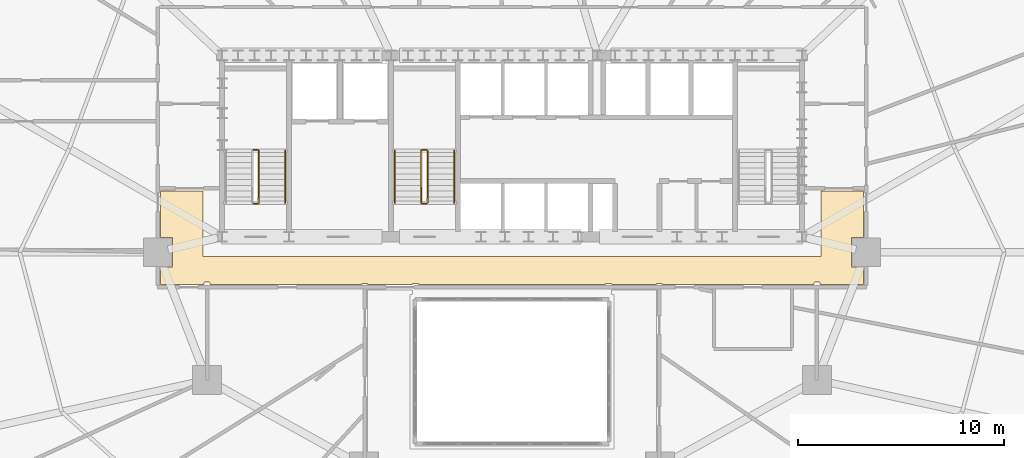
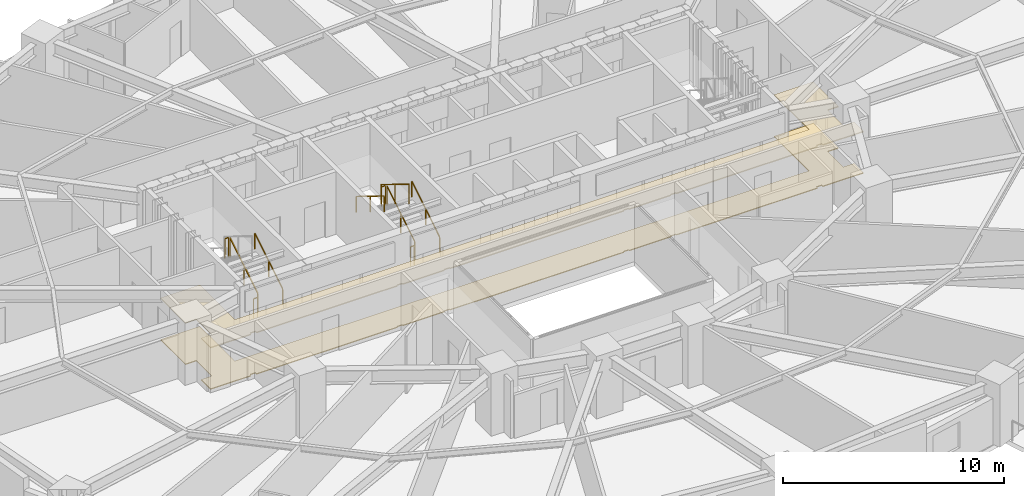
# One storey, part 14 of 16: 10 railings, 2 coverings.
"""IFC4 building model written with IfcOpenShell, lengths in metres."""

from ifc_helpers import new_model, si_unit, direction, frame, origin, origin_2d, place, context, subcontext, project, spatial, polyline, rectangle, outline, extrude, material, layer, layer_set, type_object, element, save


model = new_model("IFC4")

# Units and contexts
model_context = context("Model", 3, precision=1e-05, world=origin(), true_north=direction((0.0, 1.0)))
body_context = subcontext(model_context, "Body", "Model", "MODEL_VIEW")
ifc_project = project(units=[si_unit("LENGTHUNIT", "METRE"), si_unit("AREAUNIT", "SQUARE_METRE"), si_unit("VOLUMEUNIT", "CUBIC_METRE"), si_unit("PLANEANGLEUNIT", "RADIAN"), si_unit("MASSUNIT", "GRAM", prefix="KILO")], contexts=[model_context])

# Site, building, storey
site_placement = place(None, origin())
site = spatial("IfcSite", under=ifc_project, at=site_placement, CompositionType="ELEMENT")
building_placement = place(site_placement, origin())
building = spatial("IfcBuilding", under=site, at=building_placement, Name="Haldorwick Loom Tower", CompositionType="ELEMENT")
storey_placement = place(building_placement, frame((0.0, 0.0, 68.85009765625)))
storey = spatial("IfcBuildingStorey", under=building, at=storey_placement, Name="L18", CompositionType="ELEMENT", Elevation=68.85009765625)

# Coverings
ifc_material_1 = material(Name="Mineral Fibre Acoustic Ceiling Tile")
ifc_layer_1 = layer(ifc_material_1, 0.054931640625, Name="Mineral Fibre Acoustic Ceiling Tile")
ifc_layer_set_1 = layer_set([ifc_layer_1], Name="Mineral Fibre Acoustic Ceiling Tile")
covering_type_1 = type_object("IfcCoveringType", Name="ARC-COV-CEIL2", PredefinedType="CEILING", material=ifc_layer_set_1)
covering_1_placement = place(storey_placement, frame((0.0, 0.0, 2.281982421875)))
element("IfcCovering", 1, at=covering_1_placement, inside=storey, type_object=covering_type_1, Name="L18 Acoustic Suspended Ceiling 2", PredefinedType="CEILING", context=body_context, shape_type="SweptSolid", body=[
    extrude(outline(polyline([(51.0, 28.9599609375), (51.0, 25.800048828125), (21.0, 25.800048828125), (21.0, 28.9599609375), (18.93994140625, 28.9599609375), (18.93994140625, 26.7080078125), (19.508056640625, 26.7080078125), (19.508056640625, 25.2919921875), (18.93994140625, 25.2919921875), (18.93994140625, 24.43994140625), (21.06005859375, 24.43994140625), (21.06005859375, 24.52001953125), (21.06005859375, 24.52197265625), (21.060302734375, 24.52392578125), (21.060791015625, 24.52587890625), (21.0615234375, 24.527587890625), (21.0625, 24.529296875), (21.0634765625, 24.531005859375), (21.064453125, 24.53271484375), (21.06591796875, 24.5341796875), (21.0673828125, 24.535400390625), (21.06884765625, 24.53662109375), (21.070556640625, 24.53759765625), (21.072265625, 24.53857421875), (21.07421875, 24.5390625), (21.076171875, 24.53955078125), (21.077880859375, 24.539794921875), (21.080078125, 24.5400390625), (21.320068359375, 24.5400390625), (21.322021484375, 24.539794921875), (21.323974609375, 24.53955078125), (21.32568359375, 24.5390625), (21.32763671875, 24.53857421875), (21.329345703125, 24.53759765625), (21.3310546875, 24.53662109375), (21.332763671875, 24.535400390625), (21.333984375, 24.5341796875), (21.33544921875, 24.53271484375), (21.336669921875, 24.531005859375), (21.337646484375, 24.529296875), (21.33837890625, 24.527587890625), (21.339111328125, 24.52587890625), (21.339599609375, 24.52392578125), (21.33984375, 24.52197265625), (21.340087890625, 24.52001953125), (21.340087890625, 24.43994140625), (28.7099609375, 24.43994140625), (28.7099609375, 24.469970703125), (28.710205078125, 24.471923828125), (28.71044921875, 24.473876953125), (28.7109375, 24.475830078125), (28.71142578125, 24.477783203125), (28.71240234375, 24.4794921875), (28.71337890625, 24.481201171875), (28.714599609375, 24.482666015625), (28.7158203125, 24.484130859375), (28.71728515625, 24.485595703125), (28.718994140625, 24.486572265625), (28.720703125, 24.487548828125), (28.722412109375, 24.488525390625), (28.72412109375, 24.489013671875), (28.72607421875, 24.489501953125), (28.72802734375, 24.489990234375), (28.72998046875, 24.489990234375), (28.969970703125, 24.489990234375), (28.971923828125, 24.489990234375), (28.973876953125, 24.489501953125), (28.975830078125, 24.489013671875), (28.977783203125, 24.488525390625), (28.9794921875, 24.487548828125), (28.981201171875, 24.486572265625), (28.982666015625, 24.485595703125), (28.984130859375, 24.484130859375), (28.985595703125, 24.482666015625), (28.986572265625, 24.481201171875), (28.987548828125, 24.4794921875), (28.988525390625, 24.477783203125), (28.989013671875, 24.475830078125), (28.989501953125, 24.473876953125), (28.989990234375, 24.471923828125), (28.989990234375, 24.469970703125), (28.989990234375, 24.43994140625), (31.179931640625, 24.43994140625), (31.179931640625, 24.469970703125), (31.18017578125, 24.471923828125), (31.180419921875, 24.473876953125), (31.180908203125, 24.475830078125), (31.181396484375, 24.477783203125), (31.182373046875, 24.4794921875), (31.183349609375, 24.481201171875), (31.1845703125, 24.482666015625), (31.185791015625, 24.484130859375), (31.187255859375, 24.485595703125), (31.18896484375, 24.486572265625), (31.190673828125, 24.487548828125), (31.1923828125, 24.488525390625), (31.194091796875, 24.489013671875), (31.196044921875, 24.489501953125), (31.197998046875, 24.489990234375), (31.199951171875, 24.489990234375), (31.43994140625, 24.489990234375), (31.44189453125, 24.489990234375), (31.44384765625, 24.489501953125), (31.44580078125, 24.489013671875), (31.44775390625, 24.488525390625), (31.449462890625, 24.487548828125), (31.451171875, 24.486572265625), (31.45263671875, 24.485595703125), (31.4541015625, 24.484130859375), (31.45556640625, 24.482666015625), (31.45654296875, 24.481201171875), (31.45751953125, 24.4794921875), (31.45849609375, 24.477783203125), (31.458984375, 24.475830078125), (31.459716796875, 24.473876953125), (31.4599609375, 24.471923828125), (31.4599609375, 24.469970703125), (31.4599609375, 24.43994140625), (40.5400390625, 24.43994140625), (40.5400390625, 24.469970703125), (40.5400390625, 24.471923828125), (40.540283203125, 24.473876953125), (40.541015625, 24.475830078125), (40.54150390625, 24.477783203125), (40.54248046875, 24.4794921875), (40.54345703125, 24.481201171875), (40.54443359375, 24.482666015625), (40.5458984375, 24.484130859375), (40.54736328125, 24.485595703125), (40.548828125, 24.486572265625), (40.550537109375, 24.487548828125), (40.55224609375, 24.488525390625), (40.55419921875, 24.489013671875), (40.55615234375, 24.489501953125), (40.55810546875, 24.489990234375), (40.56005859375, 24.489990234375), (40.800048828125, 24.489990234375), (40.802001953125, 24.489990234375), (40.803955078125, 24.489501953125), (40.805908203125, 24.489013671875), (40.8076171875, 24.488525390625), (40.809326171875, 24.487548828125), (40.81103515625, 24.486572265625), (40.812744140625, 24.485595703125), (40.814208984375, 24.484130859375), (40.8154296875, 24.482666015625), (40.816650390625, 24.481201171875), (40.817626953125, 24.4794921875), (40.818603515625, 24.477783203125), (40.819091796875, 24.475830078125), (40.819580078125, 24.473876953125), (40.81982421875, 24.471923828125), (40.820068359375, 24.469970703125), (40.820068359375, 24.43994140625), (43.010009765625, 24.43994140625), (43.010009765625, 24.469970703125), (43.010009765625, 24.471923828125), (43.010498046875, 24.473876953125), (43.010986328125, 24.475830078125), (43.011474609375, 24.477783203125), (43.012451171875, 24.4794921875), (43.013427734375, 24.481201171875), (43.014404296875, 24.482666015625), (43.015869140625, 24.484130859375), (43.017333984375, 24.485595703125), (43.018798828125, 24.486572265625), (43.0205078125, 24.487548828125), (43.022216796875, 24.488525390625), (43.024169921875, 24.489013671875), (43.026123046875, 24.489501953125), (43.028076171875, 24.489990234375), (43.030029296875, 24.489990234375), (43.27001953125, 24.489990234375), (43.27197265625, 24.489990234375), (43.27392578125, 24.489501953125), (43.27587890625, 24.489013671875), (43.277587890625, 24.488525390625), (43.279296875, 24.487548828125), (43.281005859375, 24.486572265625), (43.28271484375, 24.485595703125), (43.2841796875, 24.484130859375), (43.285400390625, 24.482666015625), (43.28662109375, 24.481201171875), (43.28759765625, 24.4794921875), (43.28857421875, 24.477783203125), (43.2890625, 24.475830078125), (43.28955078125, 24.473876953125), (43.289794921875, 24.471923828125), (43.2900390625, 24.469970703125), (43.2900390625, 24.43994140625), (50.659912109375, 24.43994140625), (50.659912109375, 24.52001953125), (50.66015625, 24.52197265625), (50.660400390625, 24.52392578125), (50.660888671875, 24.52587890625), (50.66162109375, 24.527587890625), (50.662353515625, 24.529296875), (50.663330078125, 24.531005859375), (50.66455078125, 24.53271484375), (50.666015625, 24.5341796875), (50.667236328125, 24.535400390625), (50.6689453125, 24.53662109375), (50.670654296875, 24.53759765625), (50.67236328125, 24.53857421875), (50.67431640625, 24.5390625), (50.676025390625, 24.53955078125), (50.677978515625, 24.539794921875), (50.679931640625, 24.5400390625), (50.919921875, 24.5400390625), (50.922119140625, 24.539794921875), (50.923828125, 24.53955078125), (50.92578125, 24.5390625), (50.927734375, 24.53857421875), (50.929443359375, 24.53759765625), (50.93115234375, 24.53662109375), (50.9326171875, 24.535400390625), (50.93408203125, 24.5341796875), (50.935546875, 24.53271484375), (50.9365234375, 24.531005859375), (50.9375, 24.529296875), (50.9384765625, 24.527587890625), (50.939208984375, 24.52587890625), (50.939697265625, 24.52392578125), (50.93994140625, 24.52197265625), (50.93994140625, 24.52001953125), (50.93994140625, 24.43994140625), (53.06005859375, 24.43994140625), (53.06005859375, 25.2919921875), (52.491943359375, 25.2919921875), (52.491943359375, 26.7080078125), (53.06005859375, 26.7080078125), (53.06005859375, 28.9599609375), (51.0, 28.9599609375)])), origin(), (0.0, 0.0, 1.0), 0.054931640625),
])
ifc_material_2 = material(Name="Polished Aggregate Terrazzo Finish")
ifc_layer_2 = layer(ifc_material_2, 0.044921875, Name="Polished Aggregate Terrazzo Finish")
ifc_layer_set_2 = layer_set([ifc_layer_2], Name="Polished Aggregate Terrazzo Finish")
covering_type_2 = type_object("IfcCoveringType", Name="ARC-COV-FLOOR2", PredefinedType="FLOORING", material=ifc_layer_set_2)
covering_2_placement = place(storey_placement, origin())
element("IfcCovering", 2, at=covering_2_placement, inside=storey, type_object=covering_type_2, Name="L18 Floor Finish 2", PredefinedType="FLOORING", context=body_context, shape_type="SweptSolid", body=[
    extrude(outline(polyline([(51.0, 28.9599609375), (51.0, 25.800048828125), (21.0, 25.800048828125), (21.0, 28.9599609375), (18.93994140625, 28.9599609375), (18.93994140625, 26.7080078125), (19.508056640625, 26.7080078125), (19.508056640625, 25.2919921875), (18.93994140625, 25.2919921875), (18.93994140625, 24.43994140625), (21.06005859375, 24.43994140625), (21.06005859375, 24.52001953125), (21.06005859375, 24.52197265625), (21.060302734375, 24.52392578125), (21.060791015625, 24.52587890625), (21.0615234375, 24.527587890625), (21.0625, 24.529296875), (21.0634765625, 24.531005859375), (21.064453125, 24.53271484375), (21.06591796875, 24.5341796875), (21.0673828125, 24.535400390625), (21.06884765625, 24.53662109375), (21.070556640625, 24.53759765625), (21.072265625, 24.53857421875), (21.07421875, 24.5390625), (21.076171875, 24.53955078125), (21.077880859375, 24.539794921875), (21.080078125, 24.5400390625), (21.320068359375, 24.5400390625), (21.322021484375, 24.539794921875), (21.323974609375, 24.53955078125), (21.32568359375, 24.5390625), (21.32763671875, 24.53857421875), (21.329345703125, 24.53759765625), (21.3310546875, 24.53662109375), (21.332763671875, 24.535400390625), (21.333984375, 24.5341796875), (21.33544921875, 24.53271484375), (21.336669921875, 24.531005859375), (21.337646484375, 24.529296875), (21.33837890625, 24.527587890625), (21.339111328125, 24.52587890625), (21.339599609375, 24.52392578125), (21.33984375, 24.52197265625), (21.340087890625, 24.52001953125), (21.340087890625, 24.43994140625), (28.7099609375, 24.43994140625), (28.7099609375, 24.469970703125), (28.710205078125, 24.471923828125), (28.71044921875, 24.473876953125), (28.7109375, 24.475830078125), (28.71142578125, 24.477783203125), (28.71240234375, 24.4794921875), (28.71337890625, 24.481201171875), (28.714599609375, 24.482666015625), (28.7158203125, 24.484130859375), (28.71728515625, 24.485595703125), (28.718994140625, 24.486572265625), (28.720703125, 24.487548828125), (28.722412109375, 24.488525390625), (28.72412109375, 24.489013671875), (28.72607421875, 24.489501953125), (28.72802734375, 24.489990234375), (28.72998046875, 24.489990234375), (28.969970703125, 24.489990234375), (28.971923828125, 24.489990234375), (28.973876953125, 24.489501953125), (28.975830078125, 24.489013671875), (28.977783203125, 24.488525390625), (28.9794921875, 24.487548828125), (28.981201171875, 24.486572265625), (28.982666015625, 24.485595703125), (28.984130859375, 24.484130859375), (28.985595703125, 24.482666015625), (28.986572265625, 24.481201171875), (28.987548828125, 24.4794921875), (28.988525390625, 24.477783203125), (28.989013671875, 24.475830078125), (28.989501953125, 24.473876953125), (28.989990234375, 24.471923828125), (28.989990234375, 24.469970703125), (28.989990234375, 24.43994140625), (31.179931640625, 24.43994140625), (31.179931640625, 24.469970703125), (31.18017578125, 24.471923828125), (31.180419921875, 24.473876953125), (31.180908203125, 24.475830078125), (31.181396484375, 24.477783203125), (31.182373046875, 24.4794921875), (31.183349609375, 24.481201171875), (31.1845703125, 24.482666015625), (31.185791015625, 24.484130859375), (31.187255859375, 24.485595703125), (31.18896484375, 24.486572265625), (31.190673828125, 24.487548828125), (31.1923828125, 24.488525390625), (31.194091796875, 24.489013671875), (31.196044921875, 24.489501953125), (31.197998046875, 24.489990234375), (31.199951171875, 24.489990234375), (31.43994140625, 24.489990234375), (31.44189453125, 24.489990234375), (31.44384765625, 24.489501953125), (31.44580078125, 24.489013671875), (31.44775390625, 24.488525390625), (31.449462890625, 24.487548828125), (31.451171875, 24.486572265625), (31.45263671875, 24.485595703125), (31.4541015625, 24.484130859375), (31.45556640625, 24.482666015625), (31.45654296875, 24.481201171875), (31.45751953125, 24.4794921875), (31.45849609375, 24.477783203125), (31.458984375, 24.475830078125), (31.459716796875, 24.473876953125), (31.4599609375, 24.471923828125), (31.4599609375, 24.469970703125), (31.4599609375, 24.43994140625), (40.5400390625, 24.43994140625), (40.5400390625, 24.469970703125), (40.5400390625, 24.471923828125), (40.540283203125, 24.473876953125), (40.541015625, 24.475830078125), (40.54150390625, 24.477783203125), (40.54248046875, 24.4794921875), (40.54345703125, 24.481201171875), (40.54443359375, 24.482666015625), (40.5458984375, 24.484130859375), (40.54736328125, 24.485595703125), (40.548828125, 24.486572265625), (40.550537109375, 24.487548828125), (40.55224609375, 24.488525390625), (40.55419921875, 24.489013671875), (40.55615234375, 24.489501953125), (40.55810546875, 24.489990234375), (40.56005859375, 24.489990234375), (40.800048828125, 24.489990234375), (40.802001953125, 24.489990234375), (40.803955078125, 24.489501953125), (40.805908203125, 24.489013671875), (40.8076171875, 24.488525390625), (40.809326171875, 24.487548828125), (40.81103515625, 24.486572265625), (40.812744140625, 24.485595703125), (40.814208984375, 24.484130859375), (40.8154296875, 24.482666015625), (40.816650390625, 24.481201171875), (40.817626953125, 24.4794921875), (40.818603515625, 24.477783203125), (40.819091796875, 24.475830078125), (40.819580078125, 24.473876953125), (40.81982421875, 24.471923828125), (40.820068359375, 24.469970703125), (40.820068359375, 24.43994140625), (43.010009765625, 24.43994140625), (43.010009765625, 24.469970703125), (43.010009765625, 24.471923828125), (43.010498046875, 24.473876953125), (43.010986328125, 24.475830078125), (43.011474609375, 24.477783203125), (43.012451171875, 24.4794921875), (43.013427734375, 24.481201171875), (43.014404296875, 24.482666015625), (43.015869140625, 24.484130859375), (43.017333984375, 24.485595703125), (43.018798828125, 24.486572265625), (43.0205078125, 24.487548828125), (43.022216796875, 24.488525390625), (43.024169921875, 24.489013671875), (43.026123046875, 24.489501953125), (43.028076171875, 24.489990234375), (43.030029296875, 24.489990234375), (43.27001953125, 24.489990234375), (43.27197265625, 24.489990234375), (43.27392578125, 24.489501953125), (43.27587890625, 24.489013671875), (43.277587890625, 24.488525390625), (43.279296875, 24.487548828125), (43.281005859375, 24.486572265625), (43.28271484375, 24.485595703125), (43.2841796875, 24.484130859375), (43.285400390625, 24.482666015625), (43.28662109375, 24.481201171875), (43.28759765625, 24.4794921875), (43.28857421875, 24.477783203125), (43.2890625, 24.475830078125), (43.28955078125, 24.473876953125), (43.289794921875, 24.471923828125), (43.2900390625, 24.469970703125), (43.2900390625, 24.43994140625), (50.659912109375, 24.43994140625), (50.659912109375, 24.52001953125), (50.66015625, 24.52197265625), (50.660400390625, 24.52392578125), (50.660888671875, 24.52587890625), (50.66162109375, 24.527587890625), (50.662353515625, 24.529296875), (50.663330078125, 24.531005859375), (50.66455078125, 24.53271484375), (50.666015625, 24.5341796875), (50.667236328125, 24.535400390625), (50.6689453125, 24.53662109375), (50.670654296875, 24.53759765625), (50.67236328125, 24.53857421875), (50.67431640625, 24.5390625), (50.676025390625, 24.53955078125), (50.677978515625, 24.539794921875), (50.679931640625, 24.5400390625), (50.919921875, 24.5400390625), (50.922119140625, 24.539794921875), (50.923828125, 24.53955078125), (50.92578125, 24.5390625), (50.927734375, 24.53857421875), (50.929443359375, 24.53759765625), (50.93115234375, 24.53662109375), (50.9326171875, 24.535400390625), (50.93408203125, 24.5341796875), (50.935546875, 24.53271484375), (50.9365234375, 24.531005859375), (50.9375, 24.529296875), (50.9384765625, 24.527587890625), (50.939208984375, 24.52587890625), (50.939697265625, 24.52392578125), (50.93994140625, 24.52197265625), (50.93994140625, 24.52001953125), (50.93994140625, 24.43994140625), (53.06005859375, 24.43994140625), (53.06005859375, 25.2919921875), (52.491943359375, 25.2919921875), (52.491943359375, 26.7080078125), (53.06005859375, 26.7080078125), (53.06005859375, 28.9599609375), (51.0, 28.9599609375)])), origin(), (0.0, 0.0, 1.0), 0.044921875),
])

# Railings
ifc_material_3 = material(Name="Steel CSA G40.21 350W", Category="steel")
railing_type_1 = type_object("IfcRailingType", Name="ARC-RLG-GUARD112", PredefinedType="GUARDRAIL", material=ifc_material_3)
railing_1_placement = place(storey_placement, frame((23.699951171875, 28.39990234375, 0.17236328125)))
element("IfcRailing", 3, at=railing_1_placement, inside=storey, type_object=railing_type_1, Name="L18 ST-01 stair guard 1", PredefinedType="GUARDRAIL", context=body_context, shape_type="SweptSolid", body=[
    extrude(rectangle(XDim=0.048095703125, YDim=0.048095703125, at=origin_2d()), frame((0.0, 0.0, 1.076171875), z_axis=(0.0, 0.851400495292, 0.524516154772), x_axis=(-1.0, 0.0, 0.0)), (0.0, 0.0, 1.0), 2.9599609375),
    extrude(rectangle(XDim=0.0419921875, YDim=0.0419921875, at=origin_2d()), origin(), (0.0, 0.0, 1.0), 1.052001953125),
    extrude(rectangle(XDim=0.0419921875, YDim=0.0419921875, at=origin_2d()), frame((0.0, 1.260009765625, 0.7763671875)), (0.0, 0.0, 1.0), 1.052001953125),
    extrude(rectangle(XDim=0.0419921875, YDim=0.0419921875, at=origin_2d()), frame((0.0, 2.52001953125, 1.552490234375)), (0.0, 0.0, 1.0), 1.052001953125),
])
for number, where, name in (
    (4, (23.64990234375, 30.969970703125, 1.724853515625), "L18 ST-01 stair guard 2"),
    (5, (23.64990234375, 28.35009765625, 0.0), "L18 ST-01 stair guard 4"),
):
    element("IfcRailing", number, at=place(storey_placement, frame(where)), inside=storey, type_object=railing_type_1, Name=name, PredefinedType="GUARDRAIL", context=body_context, shape_type="SweptSolid", body=[
        extrude(rectangle(XDim=0.048095703125, YDim=0.048095703125, at=origin_2d()), frame((0.0, 0.0, 1.076171875), z_axis=(-1.0, 0.0, 0.0), x_axis=(0.0, -1.0, 0.0)), (0.0, 0.0, 1.0), 0.199951171875),
        extrude(rectangle(XDim=0.0419921875, YDim=0.0419921875, at=origin_2d()), origin(), (0.0, 0.0, 1.0), 1.052001953125),
        extrude(rectangle(XDim=0.0419921875, YDim=0.0419921875, at=origin_2d()), frame((-0.199951171875, 0.0, 0.0)), (0.0, 0.0, 1.0), 1.052001953125),
    ])
railing_2_placement = place(storey_placement, frame((31.89990234375, 28.39990234375, 0.17236328125)))
element("IfcRailing", 6, at=railing_2_placement, inside=storey, type_object=railing_type_1, Name="L18 ST-03 stair guard 1", PredefinedType="GUARDRAIL", context=body_context, shape_type="SweptSolid", body=[
    extrude(rectangle(XDim=0.048095703125, YDim=0.048095703125, at=origin_2d()), frame((0.0, 0.0, 1.076171875), z_axis=(0.0, 0.851400495292, 0.524516154772), x_axis=(-1.0, 0.0, 0.0)), (0.0, 0.0, 1.0), 2.9599609375),
    extrude(rectangle(XDim=0.0419921875, YDim=0.0419921875, at=origin_2d()), origin(), (0.0, 0.0, 1.0), 1.052001953125),
    extrude(rectangle(XDim=0.0419921875, YDim=0.0419921875, at=origin_2d()), frame((0.0, 1.260009765625, 0.7763671875)), (0.0, 0.0, 1.0), 1.052001953125),
    extrude(rectangle(XDim=0.0419921875, YDim=0.0419921875, at=origin_2d()), frame((0.0, 2.52001953125, 1.552490234375)), (0.0, 0.0, 1.0), 1.052001953125),
])
railing_3_placement = place(storey_placement, frame((31.85009765625, 30.969970703125, 1.724853515625)))
element("IfcRailing", 7, at=railing_3_placement, inside=storey, type_object=railing_type_1, Name="L18 ST-03 stair guard 2", PredefinedType="GUARDRAIL", context=body_context, shape_type="SweptSolid", body=[
    extrude(rectangle(XDim=0.048095703125, YDim=0.048095703125, at=origin_2d()), frame((0.0, 0.0, 1.076171875), z_axis=(-1.0, 0.0, 0.0), x_axis=(0.0, -1.0, 0.0)), (0.0, 0.0, 1.0), 0.2001953125),
    extrude(rectangle(XDim=0.0419921875, YDim=0.0419921875, at=origin_2d()), origin(), (0.0, 0.0, 1.0), 1.052001953125),
    extrude(rectangle(XDim=0.0419921875, YDim=0.0419921875, at=origin_2d()), frame((-0.2001953125, 0.0, 0.0)), (0.0, 0.0, 1.0), 1.052001953125),
])
railing_4_placement = place(storey_placement, frame((31.60009765625, 30.919921875, 1.8974609375)))
element("IfcRailing", 8, at=railing_4_placement, inside=storey, type_object=railing_type_1, Name="L18 ST-03 stair guard 3", PredefinedType="GUARDRAIL", context=body_context, shape_type="SweptSolid", body=[
    extrude(rectangle(XDim=0.048095703125, YDim=0.048095703125, at=origin_2d()), frame((0.0, 0.0, 1.076171875), z_axis=(0.0, -0.851400495292, 0.524516154772), x_axis=(1.0, 0.0, 0.0)), (0.0, 0.0, 1.0), 2.9599609375),
    extrude(rectangle(XDim=0.0419921875, YDim=0.0419921875, at=origin_2d()), origin(), (0.0, 0.0, 1.0), 1.052001953125),
    extrude(rectangle(XDim=0.0419921875, YDim=0.0419921875, at=origin_2d()), frame((0.0, -1.260009765625, 0.7763671875)), (0.0, 0.0, 1.0), 1.052001953125),
    extrude(rectangle(XDim=0.0419921875, YDim=0.0419921875, at=origin_2d()), frame((0.0, -2.52001953125, 1.552490234375)), (0.0, 0.0, 1.0), 1.052001953125),
])
railing_5_placement = place(storey_placement, frame((31.85009765625, 28.35009765625, 0.0)))
element("IfcRailing", 9, at=railing_5_placement, inside=storey, type_object=railing_type_1, Name="L18 ST-03 stair guard 4", PredefinedType="GUARDRAIL", context=body_context, shape_type="SweptSolid", body=[
    extrude(rectangle(XDim=0.048095703125, YDim=0.048095703125, at=origin_2d()), frame((0.0, 0.0, 1.076171875), z_axis=(-1.0, 0.0, 0.0), x_axis=(0.0, -1.0, 0.0)), (0.0, 0.0, 1.0), 0.2001953125),
    extrude(rectangle(XDim=0.0419921875, YDim=0.0419921875, at=origin_2d()), origin(), (0.0, 0.0, 1.0), 1.052001953125),
    extrude(rectangle(XDim=0.0419921875, YDim=0.0419921875, at=origin_2d()), frame((-0.2001953125, 0.0, 0.0)), (0.0, 0.0, 1.0), 1.052001953125),
])
railing_type_2 = type_object("IfcRailingType", Name="ARC-RLG-HAND092", PredefinedType="HANDRAIL", material=ifc_material_3)
for number, where, name in (
    (10, (25.0, 28.39990234375, 0.17236328125), "L18 ST-01 stair handrail 1"),
    (11, (33.199951171875, 28.39990234375, 0.17236328125), "L18 ST-03 stair handrail 1"),
):
    element("IfcRailing", number, at=place(storey_placement, frame(where)), inside=storey, type_object=railing_type_2, Name=name, PredefinedType="HANDRAIL", context=body_context, shape_type="SweptSolid", body=[
        extrude(rectangle(XDim=0.048095703125, YDim=0.048095703125, at=origin_2d()), frame((0.0, 0.0, 0.8759765625), z_axis=(0.0, 0.851400495292, 0.524516154772), x_axis=(-1.0, 0.0, 0.0)), (0.0, 0.0, 1.0), 2.9599609375),
        extrude(rectangle(XDim=0.0419921875, YDim=0.0419921875, at=origin_2d()), origin(), (0.0, 0.0, 1.0), 0.851806640625),
        extrude(rectangle(XDim=0.0419921875, YDim=0.0419921875, at=origin_2d()), frame((0.0, 1.260009765625, 0.7763671875)), (0.0, 0.0, 1.0), 0.851806640625),
        extrude(rectangle(XDim=0.0419921875, YDim=0.0419921875, at=origin_2d()), frame((0.0, 2.52001953125, 1.552490234375)), (0.0, 0.0, 1.0), 0.851806640625),
    ])
railing_6_placement = place(storey_placement, frame((30.300048828125, 30.919921875, 1.8974609375)))
element("IfcRailing", 12, at=railing_6_placement, inside=storey, type_object=railing_type_2, Name="L18 ST-03 stair handrail 2", PredefinedType="HANDRAIL", context=body_context, shape_type="SweptSolid", body=[
    extrude(rectangle(XDim=0.048095703125, YDim=0.048095703125, at=origin_2d()), frame((0.0, 0.0, 0.8759765625), z_axis=(0.0, -0.851400495292, 0.524516154772), x_axis=(1.0, 0.0, 0.0)), (0.0, 0.0, 1.0), 2.9599609375),
    extrude(rectangle(XDim=0.0419921875, YDim=0.0419921875, at=origin_2d()), origin(), (0.0, 0.0, 1.0), 0.851806640625),
    extrude(rectangle(XDim=0.0419921875, YDim=0.0419921875, at=origin_2d()), frame((0.0, -1.260009765625, 0.7763671875)), (0.0, 0.0, 1.0), 0.851806640625),
    extrude(rectangle(XDim=0.0419921875, YDim=0.0419921875, at=origin_2d()), frame((0.0, -2.52001953125, 1.552490234375)), (0.0, 0.0, 1.0), 0.851806640625),
])

save(model, "model.ifc")
